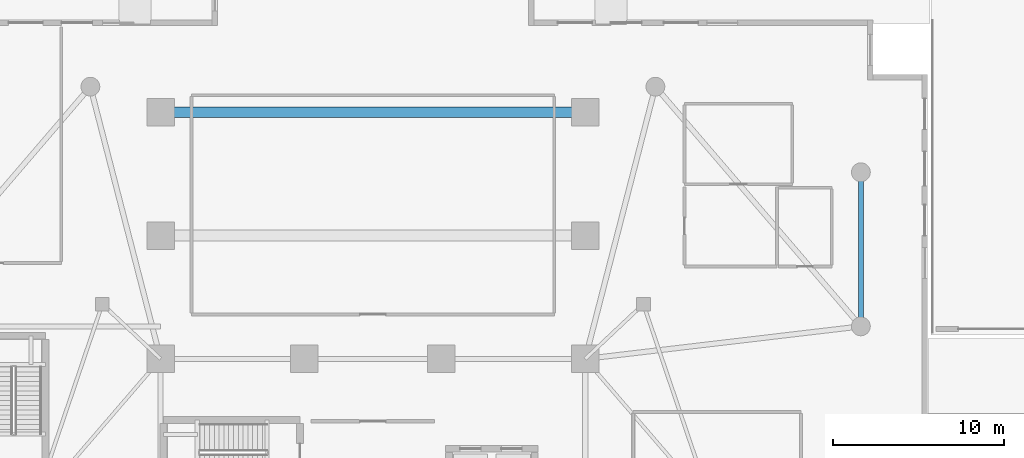
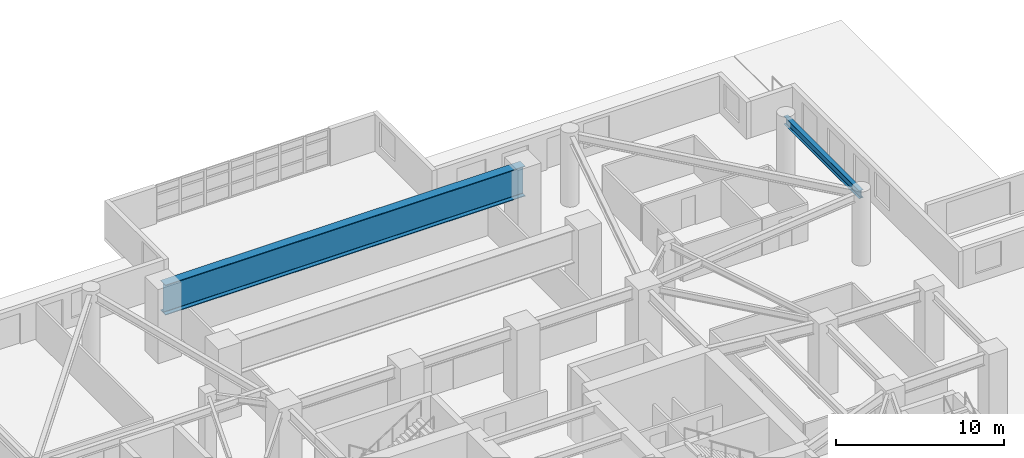
# One storey, part 9 of 24: 2 beams.
"""IFC4 building model written with IfcOpenShell, lengths in metres."""

import ifcopenshell
import ifcopenshell.guid

model = None  # the IFC model being written
_history = None  # IfcOwnerHistory: only IFC2X3 demands one
_inside = {}  # id of a spatial element -> (the spatial element, [elements in it])
_under = {}  # id of a project, library or spatial element -> (it, [spatial elements below it])
_declared = {}  # id of a project -> (the project, [libraries it declares])
_typed = {}  # id of a type object -> (the type object, [elements of that type])
_made_of = {}  # id of a material, layer set ... -> (it, [elements and type objects made of it])


def new_model(schema):
    """Start an empty IFC model of exactly this schema.

    Asked for "IFC4X3", IfcOpenShell would pick the latest addendum, in which some entities
    have other attributes; the version numbers below select the first issue.
    IFC2X3 requires an IfcOwnerHistory on every rooted entity: one is made here for all.
    """
    global model, _history
    if schema == "IFC4X3":
        model = ifcopenshell.file(schema_version=(4, 3, 0, 0))
    else:
        model = ifcopenshell.file(schema=schema)
    _inside.clear()
    _under.clear()
    _declared.clear()
    _typed.clear()
    _made_of.clear()
    _history = None
    if model.schema == "IFC2X3":
        org = make("IfcOrganization", Name="unknown")
        user = make(
            "IfcPersonAndOrganization",
            ThePerson=make("IfcPerson", FamilyName="unknown"),
            TheOrganization=org,
        )
        app = make(
            "IfcApplication",
            ApplicationDeveloper=org,
            Version="unknown",
            ApplicationFullName="unknown",
            ApplicationIdentifier="unknown",
        )
        _history = make(
            "IfcOwnerHistory",
            OwningUser=user,
            OwningApplication=app,
            ChangeAction="ADDED",
            CreationDate=0,
        )
    return model


def make(cls, **values):
    """One entity of the class cls with the attributes given. An attribute that is None is left unset."""
    return model.create_entity(
        cls, **{name: value for name, value in values.items() if value is not None}
    )


def rooted(cls, **values):
    """An entity with a GlobalId (a new one), such as an element, a storey or a relation."""
    return make(cls, GlobalId=ifcopenshell.guid.new(), OwnerHistory=_history, **values)


def si_unit(unit_type, name, prefix=None):
    """IfcSIUnit, for example si_unit("LENGTHUNIT", "METRE", prefix="MILLI")."""
    return make("IfcSIUnit", UnitType=unit_type, Prefix=prefix, Name=name)


def assignment(units):
    """IfcUnitAssignment: the units of a project."""
    return None if units is None else make("IfcUnitAssignment", Units=units)


def point(xyz):
    """IfcCartesianPoint."""
    return None if xyz is None else make("IfcCartesianPoint", Coordinates=xyz)


def direction(xyz):
    """IfcDirection."""
    return None if xyz is None else make("IfcDirection", DirectionRatios=xyz)


def frame(location, z_axis=None, x_axis=None):
    """IfcAxis2Placement3D, a coordinate frame: its origin and axes. An axis left out is left unset."""
    return make(
        "IfcAxis2Placement3D",
        Location=point(location),
        Axis=direction(z_axis),
        RefDirection=direction(x_axis),
    )


def frame_2d(location, x_axis=None):
    """IfcAxis2Placement2D, a coordinate frame in the plane: its origin and x axis."""
    return make(
        "IfcAxis2Placement2D", Location=point(location), RefDirection=direction(x_axis)
    )


def origin():
    """The frame at (0, 0, 0) with its axes left unset."""
    return frame((0.0, 0.0, 0.0))


def origin_2d():
    """The frame at (0, 0) in the plane with its x axis left unset."""
    return frame_2d((0.0, 0.0))


def place(relative_to, where):
    """IfcLocalPlacement: puts the frame where relative to a parent placement (None: the world)."""
    return make(
        "IfcLocalPlacement", PlacementRelTo=relative_to, RelativePlacement=where
    )


def context(
    kind, dimensions, precision=None, world=None, true_north=None, identifier=None
):
    """IfcGeometricRepresentationContext, for example the 3D "Model" context."""
    return make(
        "IfcGeometricRepresentationContext",
        ContextIdentifier=identifier,
        ContextType=kind,
        CoordinateSpaceDimension=dimensions,
        Precision=precision,
        WorldCoordinateSystem=world,
        TrueNorth=true_north,
    )


def subcontext(parent, identifier, kind, view, scale=None):
    """IfcGeometricRepresentationSubContext, for example "Body" below "Model"."""
    return make(
        "IfcGeometricRepresentationSubContext",
        ContextIdentifier=identifier,
        ContextType=kind,
        ParentContext=parent,
        TargetScale=scale,
        TargetView=view,
    )


def project(units=None, contexts=None):
    """IfcProject with its units and contexts."""
    return rooted(
        "IfcProject",
        Name="project",
        RepresentationContexts=contexts,
        UnitsInContext=assignment(units),
    )


def spatial(cls, under=None, at=None, **own):
    """A site, building, storey or space (cls), placed at a placement, below another one or the project."""
    s = rooted(cls, ObjectPlacement=at, **own)
    if under is not None:
        _under.setdefault(under.id(), (under, []))[1].append(s)
    return s


def profile(cls, at=None, kind="AREA", **sizes):
    """A parametric profile (cls). Its sizes go by their IFC names, for example OverallWidth=200.0."""
    return make(cls, ProfileType=kind, Position=at, **sizes)


def i_section(**sizes):
    """IfcIShapeProfileDef."""
    return profile("IfcIShapeProfileDef", **sizes)


def extrude(swept, where, along, depth):
    """IfcExtrudedAreaSolid: the profile swept, set in the frame where, extruded along a direction by depth."""
    return make(
        "IfcExtrudedAreaSolid",
        SweptArea=swept,
        Position=where,
        ExtrudedDirection=direction(along),
        Depth=depth,
    )


def shape(context_of_items, identifier, shape_type, items):
    """IfcShapeRepresentation: the items that make up one representation, for example the "Body"."""
    return make(
        "IfcShapeRepresentation",
        ContextOfItems=context_of_items,
        RepresentationIdentifier=identifier,
        RepresentationType=shape_type,
        Items=items,
    )


def material(Name=None, Category=None):
    """IfcMaterial."""
    return make("IfcMaterial", Name=Name, Category=Category)


def material_profile(
    of_material, cross_section, Name=None, Category=None, Priority=None
):
    """IfcMaterialProfile: a cross section and its material."""
    return make(
        "IfcMaterialProfile",
        Name=Name,
        Material=of_material,
        Profile=cross_section,
        Priority=Priority,
        Category=Category,
    )


def profile_set(profiles, Name=None, composite=None):
    """IfcMaterialProfileSet."""
    return make(
        "IfcMaterialProfileSet",
        Name=Name,
        MaterialProfiles=profiles,
        CompositeProfile=composite,
    )


def made_of(thing, what):
    """Note that an element or type object is made of a material, layer set ...; save() writes the relation."""
    if what is not None:
        _made_of.setdefault(what.id(), (what, []))[1].append(thing)
    return thing


def type_object(cls, material=None, **own):
    """A type object (cls), such as IfcWallType, which elements share."""
    return made_of(rooted(cls, **own), material)


def element(
    cls,
    number,
    at=None,
    inside=None,
    cuts=None,
    type_object=None,
    material=None,
    context=None,
    identifier="Body",
    shape_type=None,
    held_by="IfcProductDefinitionShape",
    body=None,
    shapes=None,
    **own,
):
    """One element of the class cls, such as IfcWall. Its Tag is "e" and its number.

    at: its placement. inside: the storey or other place that contains it. cuts: it is an
    opening in that element (IfcRelVoidsElement). A single representation is given by context,
    identifier, shape_type and body (its items); several are given by shapes. held_by: the class
    of the entity that holds the representations. save() writes the other relations.
    """
    e = rooted(cls, Tag="e%d" % number, ObjectPlacement=at, **own)
    if body is not None:
        shapes = [shape(context, identifier, shape_type, body)]
    if shapes is not None:
        e.Representation = make(held_by, Representations=shapes)
    if inside is not None:
        _inside.setdefault(inside.id(), (inside, []))[1].append(e)
    if cuts is not None:
        rooted(
            "IfcRelVoidsElement", RelatingBuildingElement=cuts, RelatedOpeningElement=e
        )
    if type_object is not None:
        _typed.setdefault(type_object.id(), (type_object, []))[1].append(e)
    return made_of(e, material)


def aggregate(whole, parts):
    """IfcRelAggregates: a whole, such as a stair, and the parts it consists of."""
    return rooted("IfcRelAggregates", RelatingObject=whole, RelatedObjects=parts)


def save(model, path):
    """Write the relations noted so far, then the file.

    IfcRelAggregates (storeys below a building ...), IfcRelContainedInSpatialStructure (elements
    in a storey), IfcRelDefinesByType, IfcRelAssociatesMaterial and IfcRelDeclares: one each for
    every whole, place, type object, material and project.
    """
    for whole, parts in _under.values():
        aggregate(whole, parts)
    for where, things in _inside.values():
        rooted(
            "IfcRelContainedInSpatialStructure",
            RelatedElements=things,
            RelatingStructure=where,
        )
    for kind, things in _typed.values():
        rooted("IfcRelDefinesByType", RelatedObjects=things, RelatingType=kind)
    for what, things in _made_of.values():
        rooted("IfcRelAssociatesMaterial", RelatedObjects=things, RelatingMaterial=what)
    for by, libraries in _declared.values():
        rooted("IfcRelDeclares", RelatingContext=by, RelatedDefinitions=libraries)
    model.write(path)


model = new_model("IFC4")

# Units and contexts
model_context = context("Model", 3, precision=1e-05, world=origin(), true_north=direction((0.0, 1.0)))
body_context = subcontext(model_context, "Body", "Model", "MODEL_VIEW")
ifc_project = project(units=[si_unit("LENGTHUNIT", "METRE"), si_unit("AREAUNIT", "SQUARE_METRE"), si_unit("VOLUMEUNIT", "CUBIC_METRE"), si_unit("PLANEANGLEUNIT", "RADIAN"), si_unit("MASSUNIT", "GRAM", prefix="KILO")], contexts=[model_context])

# Site, building, storey
site_placement = place(None, origin())
site = spatial("IfcSite", under=ifc_project, at=site_placement, CompositionType="ELEMENT")
building_placement = place(site_placement, origin())
building = spatial("IfcBuilding", under=site, at=building_placement, Name="Qingluan Cross Belvedere", CompositionType="ELEMENT")
storey_placement = place(building_placement, origin())
storey = spatial("IfcBuildingStorey", under=building, at=storey_placement, Name="L01", CompositionType="ELEMENT", Elevation=0.0)

# Beams
ifc_material_1 = material(Name="Steel Q420GJB", Category="steel")
ifc_material_profile_1 = material_profile(ifc_material_1, i_section(OverallWidth=0.300048828125, OverallDepth=0.587890625, WebThickness=0.011962890625, FlangeThickness=0.02001953125, FilletRadius=0.02392578125, at=origin_2d()), Name="HM588x300x12x20")
ifc_profile_set_1 = profile_set([ifc_material_profile_1], Name="Steel Q420GJB")
beam_type_1 = type_object("IfcBeamType", Name="Steel_Beam_HM588x300x12x20", PredefinedType="BEAM", material=ifc_profile_set_1)
beam_1_placement = place(storey_placement, frame((28.5, 14.5, 4.85595703125), z_axis=(0.0, 1.0, 0.0), x_axis=(-1.0, 0.0, 0.0)))
element("IfcBeam", 1, at=beam_1_placement, inside=storey, type_object=beam_type_1, Name="Podium quadrant tie beam L01-EN12", PredefinedType="BEAM", context=body_context, shape_type="SweptSolid", body=[
    extrude(i_section(OverallWidth=0.300048828125, OverallDepth=0.587890625, WebThickness=0.011962890625, FlangeThickness=0.02001953125, FilletRadius=0.02392578125, at=origin_2d()), origin(), (0.0, 0.0, 1.0), 9.0),
])
ifc_material_2 = material(Name="Steel Q420GJB", Category="steel")
ifc_material_profile_2 = material_profile(ifc_material_2, i_section(OverallWidth=0.60009765625, OverallDepth=2.199951171875, WebThickness=0.031982421875, FlangeThickness=0.050048828125, FilletRadius=0.02392578125, at=origin_2d()), Name="WTG2200x600x32x50")
ifc_profile_set_2 = profile_set([ifc_material_profile_2], Name="Steel Q420GJB")
beam_type_2 = type_object("IfcBeamType", Name="Steel_Girder_WTG2200x600x32x50", PredefinedType="USERDEFINED", material=ifc_profile_set_2)
beam_2_placement = place(storey_placement, frame((-12.39990234375, 27.0, 4.050048828125), z_axis=(1.0, 0.0, 0.0), x_axis=(0.0, 1.0, 0.0)))
element("IfcBeam", 2, at=beam_2_placement, inside=storey, type_object=beam_type_2, Name="Grand ballroom transfer girder TG2 (WTG2200x600x32x50)", ObjectType="GIRDER", PredefinedType="USERDEFINED", context=body_context, shape_type="SweptSolid", body=[
    extrude(i_section(OverallWidth=0.60009765625, OverallDepth=2.199951171875, WebThickness=0.031982421875, FlangeThickness=0.050048828125, FilletRadius=0.02392578125, at=origin_2d()), origin(), (0.0, 0.0, 1.0), 24.7998046875),
])

save(model, "model.ifc")
